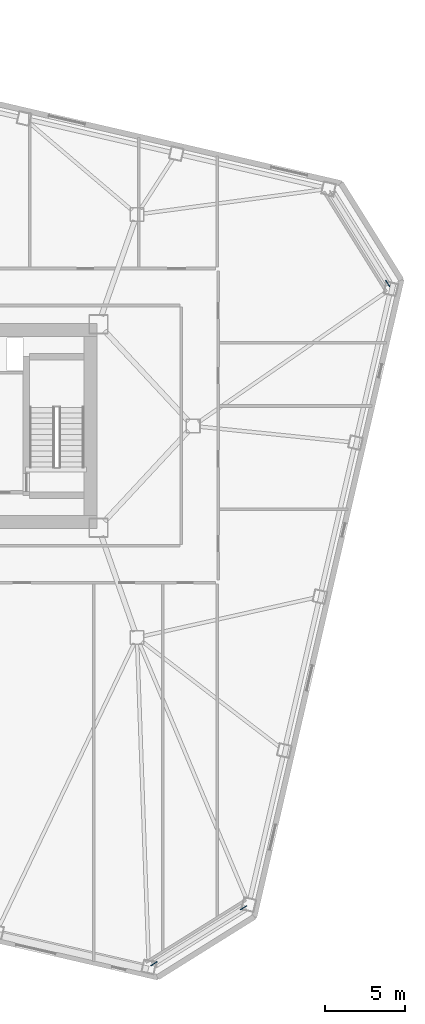
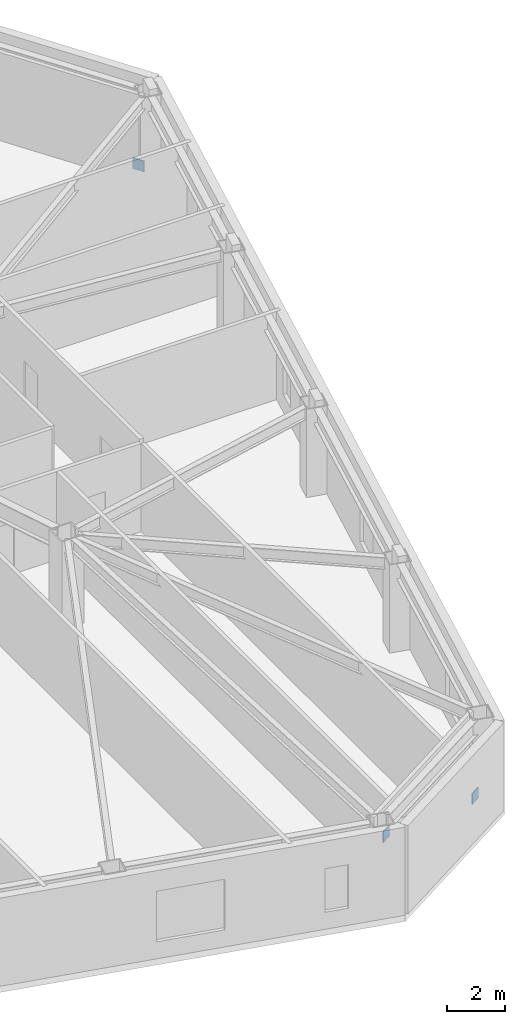
# One storey, part 16 of 18: 3 discrete accessories.
"""IFC4 building model written with IfcOpenShell, lengths in metres."""

from ifc_helpers import new_model, si_unit, direction, frame, origin, origin_2d, place, context, subcontext, project, spatial, rectangle, extrude, material, type_object, element, save


model = new_model("IFC4")

# Units and contexts
model_context = context("Model", 3, precision=1e-05, world=origin(), true_north=direction((0.0, 1.0)))
body_context = subcontext(model_context, "Body", "Model", "MODEL_VIEW")
ifc_project = project(units=[si_unit("LENGTHUNIT", "METRE"), si_unit("AREAUNIT", "SQUARE_METRE"), si_unit("VOLUMEUNIT", "CUBIC_METRE"), si_unit("PLANEANGLEUNIT", "RADIAN"), si_unit("MASSUNIT", "GRAM", prefix="KILO")], contexts=[model_context])

# Site, building, storey
site_placement = place(None, origin())
site = spatial("IfcSite", under=ifc_project, at=site_placement, CompositionType="ELEMENT")
building_placement = place(site_placement, origin())
building = spatial("IfcBuilding", under=site, at=building_placement, Name="Tavrogorsk Clinical Tower", CompositionType="ELEMENT")
storey_placement = place(building_placement, frame((0.0, 0.0, 47.39990234375)))
storey = spatial("IfcBuildingStorey", under=building, at=storey_placement, Name="L09", CompositionType="ELEMENT", Elevation=47.39990234375)

# Discrete accessories
ifc_material = material(Name="Structural steel S440", Category="steel")
discrete_accessory_type = type_object("IfcDiscreteAccessoryType", Name="GussetPlateBracket_25", PredefinedType="BRACKET", material=ifc_material)
for number, where, z_axis, x_axis, name in (
    (1, (31.15185546875, -30.062255859375, 0.212646484375), (0.0, 0.0, 1.0), (-0.848048096156, -0.529919264233, 0.0), "L09 Brace Gusset Plate EXOCRN-L09-1-A"),
    (2, (25.56396484375, -33.553955078125, 2.667724609375), (0.0, 0.0, 1.0), (-0.848048096156, -0.529919264233, 0.0), "L09 Brace Gusset Plate EXOCRN-L09-1-B"),
    (3, (40.145751953125, 8.893798828125, 0.212646484375), (0.0, 0.0, 1.0), (-0.529919264233, 0.848048096156, 0.0), "L09 Brace Gusset Plate EXOCRN-L09-2-A"),
):
    element("IfcDiscreteAccessory", number, at=place(storey_placement, frame(where, z_axis=z_axis, x_axis=x_axis)), inside=storey, type_object=discrete_accessory_type, Name=name, PredefinedType="BRACKET", context=body_context, shape_type="SweptSolid", body=[
        extrude(rectangle(XDim=0.4599609375, YDim=0.0400390625, at=origin_2d()), origin(), (0.0, 0.0, 1.0), 0.4599609375),
    ])

save(model, "model.ifc")
